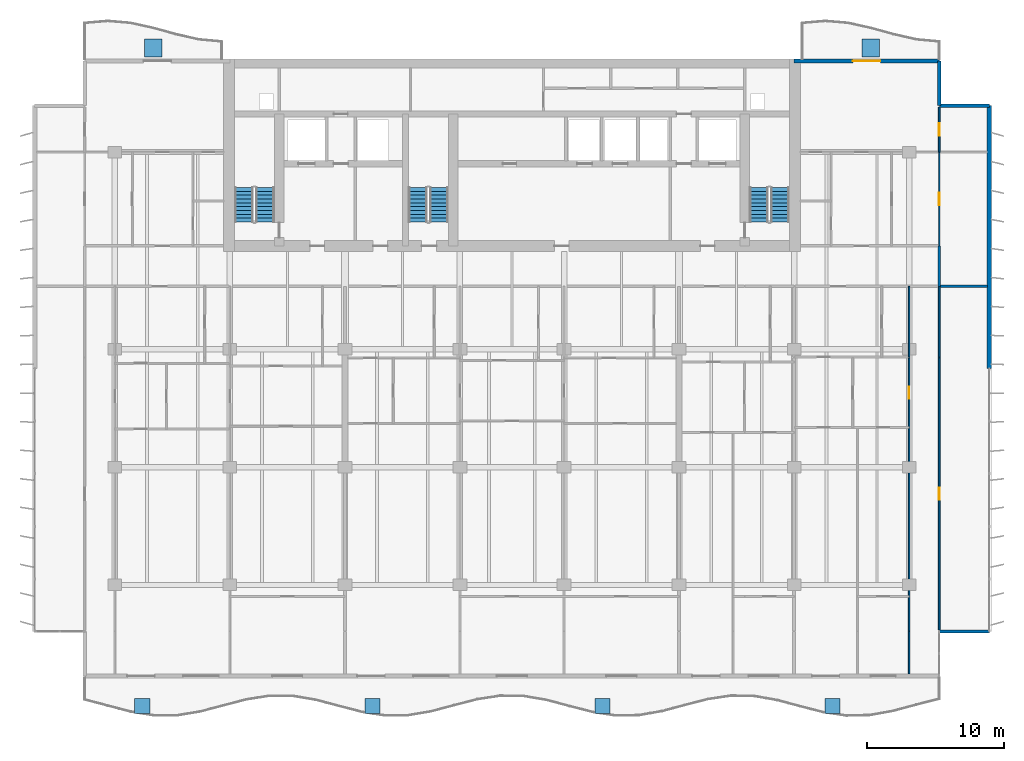
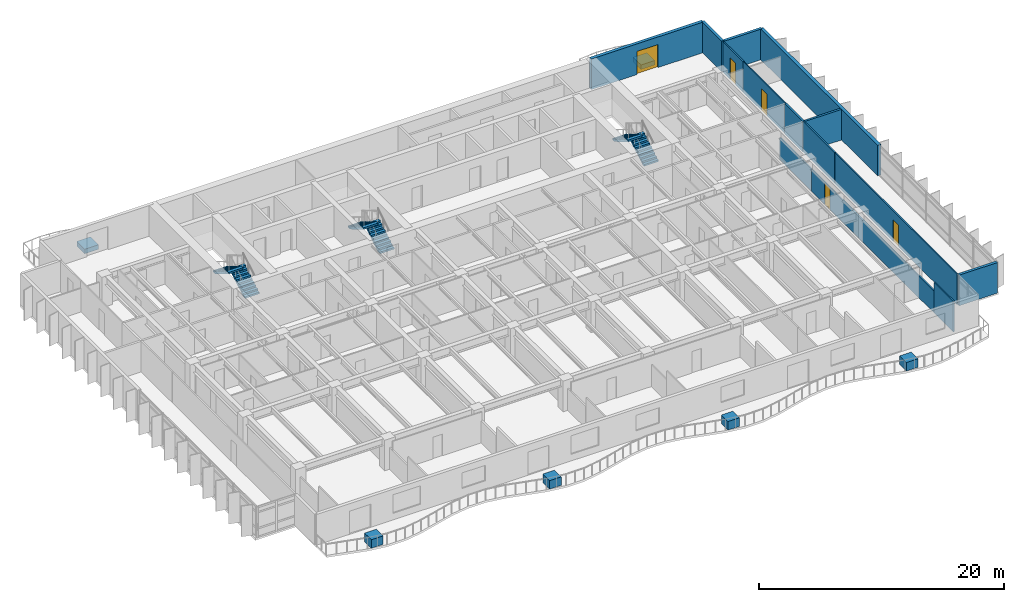
# One storey, part 11 of 15: 14 walls, 6 discrete accessories, 6 stair flights, 5 doors, 5 openings, 3 elements without a shape of their own.
"""IFC4 building model written with IfcOpenShell, lengths in metres."""

from ifc_helpers import new_model, si_unit, direction, frame, frame_2d, origin, origin_2d, place, context, subcontext, project, spatial, polyline, rectangle, outline, extrude, material, layer, layer_set, type_object, element, fill, aggregate, save


model = new_model("IFC4")

# Units and contexts
model_context = context("Model", 3, precision=1e-05, world=origin(), true_north=direction((0.0, 1.0)))
body_context = subcontext(model_context, "Body", "Model", "MODEL_VIEW")
ifc_project = project(units=[si_unit("LENGTHUNIT", "METRE"), si_unit("AREAUNIT", "SQUARE_METRE"), si_unit("VOLUMEUNIT", "CUBIC_METRE"), si_unit("PLANEANGLEUNIT", "RADIAN"), si_unit("MASSUNIT", "GRAM", prefix="KILO")], contexts=[model_context])

# Site, building, storey
site_placement = place(None, origin())
site = spatial("IfcSite", under=ifc_project, at=site_placement, CompositionType="ELEMENT")
building_placement = place(site_placement, origin())
building = spatial("IfcBuilding", under=site, at=building_placement, Name="Caelmar Bay Residences", CompositionType="ELEMENT")
storey_placement = place(building_placement, frame((0.0, 0.0, 138.89990234375)))
storey = spatial("IfcBuildingStorey", under=building, at=storey_placement, Name="L38", CompositionType="ELEMENT", Elevation=138.89990234375)

# Walls
ifc_material_1 = material(Name="Double-stud acoustic fire-rated gypsum partition 180 mm")
ifc_layer_1 = layer(ifc_material_1, 0.179931640625)
ifc_layer_set_1 = layer_set([ifc_layer_1], Name="Double-stud acoustic fire-rated gypsum partition 180 mm")
wall_type_1 = type_object("IfcWallType", Name="W-COR-200", PredefinedType="PARTITIONING", material=ifc_layer_set_1)
wall_1_placement = place(storey_placement, frame((70.10009765625, 34.0048828125, 0.0), z_axis=(0.0, 0.0, 1.0), x_axis=(0.0, 1.0, 0.0)))
element("IfcWall", 1, at=wall_1_placement, inside=storey, type_object=wall_type_1, Name="L38 Partition Wall V070", PredefinedType="PARTITIONING", context=body_context, shape_type="SweptSolid", body=[
    extrude(rectangle(XDim=2.945068359375, YDim=0.179931640625, at=frame_2d((1.47265625, 0.0))), origin(), (0.0, 0.0, 1.0), 3.050048828125),
])
ifc_material_2 = material(Name="Precast concrete f'c 40 MPa (6,000 psi)", Category="concrete")
ifc_layer_2 = layer(ifc_material_2, 0.25)
ifc_layer_set_2 = layer_set([ifc_layer_2], Name="Precast concrete f'c 40 MPa (6,000 psi)")
wall_type_2 = type_object("IfcWallType", Name="W-EXT-250", PredefinedType="ELEMENTEDWALL", material=ifc_layer_set_2)
wall_2_placement = place(storey_placement, frame((70.10009765625, 8.800048828125, 0.0), z_axis=(0.0, 0.0, 1.0), x_axis=(1.0, 0.0, 0.0)))
element("IfcWall", 2, at=wall_2_placement, inside=storey, type_object=wall_type_2, Name="L38 SE Notch Return Wall", PredefinedType="ELEMENTEDWALL", context=body_context, shape_type="SweptSolid", body=[
    extrude(rectangle(XDim=3.64990234375, YDim=0.25, at=frame_2d((1.824951171875, 0.0))), origin(), (0.0, 0.0, 1.0), 3.050048828125),
])
wall_3_placement = place(storey_placement, frame((70.10009765625, 50.449951171875, 0.0), z_axis=(0.0, 0.0, 1.0), x_axis=(0.0, -1.0, 0.0)))
element("IfcWall", 3, at=wall_3_placement, inside=storey, type_object=wall_type_2, Name="L38 NNE-V Notch Wall", PredefinedType="ELEMENTEDWALL", context=body_context, shape_type="SweptSolid", body=[
    extrude(rectangle(XDim=3.25, YDim=0.25, at=frame_2d((1.625, 0.0))), origin(), (0.0, 0.0, 1.0), 3.050048828125),
])
wall_4_placement = place(storey_placement, frame((70.10009765625, 47.199951171875, 0.0), z_axis=(0.0, 0.0, 1.0), x_axis=(1.0, 0.0, 0.0)))
element("IfcWall", 4, at=wall_4_placement, inside=storey, type_object=wall_type_2, Name="L38 NNE-H Notch Wall", PredefinedType="ELEMENTEDWALL", context=body_context, shape_type="SweptSolid", body=[
    extrude(rectangle(XDim=3.64990234375, YDim=0.25, at=frame_2d((1.824951171875, 0.0))), origin(), (0.0, 0.0, 1.0), 3.050048828125),
])
ifc_layer_3 = layer(ifc_material_2, 0.300048828125)
ifc_layer_set_3 = layer_set([ifc_layer_3], Name="Precast concrete f'c 40 MPa (6,000 psi)")
wall_type_3 = type_object("IfcWallType", Name="W-EXT-300", PredefinedType="STANDARD", material=ifc_layer_set_3)
wall_5_placement = place(storey_placement, frame((73.75, 47.199951171875, 0.0), z_axis=(0.0, 0.0, 1.0), x_axis=(0.0, -1.0, 0.0)))
element("IfcWall", 5, at=wall_5_placement, inside=storey, type_object=wall_type_3, Name="L38 East Rear Exterior Wall", PredefinedType="STANDARD", context=body_context, shape_type="SweptSolid", body=[
    extrude(rectangle(XDim=19.199951171875, YDim=0.300048828125, at=frame_2d((9.60009765625, 0.0))), origin(), (0.0, 0.0, 1.0), 3.050048828125),
])

# Wall, opening, door
wall_6_placement = place(storey_placement, frame((59.5, 50.449951171875, 0.0), z_axis=(0.0, 0.0, 1.0), x_axis=(1.0, 0.0, 0.0)))
wall_6 = element("IfcWall", 6, at=wall_6_placement, inside=storey, type_object=wall_type_3, Name="L38 North-East Wing Exterior Wall", PredefinedType="STANDARD", context=body_context, shape_type="SweptSolid", body=[
    extrude(rectangle(XDim=10.60009765625, YDim=0.300048828125, at=frame_2d((5.300048828125, 0.0))), origin(), (0.0, 0.0, 1.0), 3.050048828125),
])
opening_1_placement = place(wall_6_placement, frame((4.300048828125, 0.0, 0.0)))
opening_1 = element("IfcOpeningElement", 7, at=opening_1_placement, cuts=wall_6, Name="Opening L38-BDNE", PredefinedType="OPENING", context=body_context, shape_type="SweptSolid", body=[
    extrude(rectangle(XDim=2.0, YDim=2.300048828125, at=frame_2d((1.0, 1.14990234375))), frame((0.0, 0.159912109375, 0.0), z_axis=(0.0, -1.0, 0.0), x_axis=(1.0, 0.0, 0.0)), (0.0, 0.0, 1.0), 0.320068359375),
])
ifc_material_3 = material(Name="Anodised bronze thermally broken sliding glass door", Category="glass")
ifc_layer_4 = layer(ifc_material_3, 0.050048828125)
ifc_layer_set_4 = layer_set([ifc_layer_4], Name="Anodised bronze thermally broken sliding glass door")
door_type_1 = type_object("IfcDoorType", Name="D-BAL-2000", OperationType="DOUBLE_DOOR_SLIDING", PredefinedType="DOOR", material=ifc_layer_set_4)
door_1_placement = place(opening_1_placement, origin())
door_1 = element("IfcDoor", 8, at=door_1_placement, inside=storey, type_object=door_type_1, Name="L38 North-East Balcony Door", OperationType="DOUBLE_DOOR_SLIDING", OverallHeight=2.300048828125, OverallWidth=2.0, PredefinedType="DOOR", context=body_context, shape_type="SweptSolid", body=[
    extrude(rectangle(XDim=2.0, YDim=2.300048828125, at=frame_2d((1.0, 1.14990234375))), frame((0.0, 0.02490234375, 0.0), z_axis=(0.0, -1.0, 0.0), x_axis=(1.0, 0.0, 0.0)), (0.0, 0.0, 1.0), 0.050048828125),
])
fill(opening_1, door_1)

ifc_material_4 = material(Name="Anodised bronze framed acoustic sliding study partition 100 mm")
ifc_layer_5 = layer(ifc_material_4, 0.10009765625)
ifc_layer_set_5 = layer_set([ifc_layer_5], Name="Anodised bronze framed acoustic sliding study partition 100 mm")
wall_type_4 = type_object("IfcWallType", Name="W-MOV-100", PredefinedType="MOVABLE", material=ifc_layer_set_5)
wall_7_placement = place(storey_placement, frame((70.10009765625, 36.955078125, 0.0), z_axis=(0.0, 0.0, 1.0), x_axis=(0.0, 1.0, 0.0)))
wall_7 = element("IfcWall", 9, at=wall_7_placement, inside=storey, type_object=wall_type_4, Name="L38 Partition Wall V071", PredefinedType="MOVABLE", context=body_context, shape_type="SweptSolid", body=[
    extrude(rectangle(XDim=6.844970703125, YDim=0.10009765625, at=frame_2d((3.42236328125, 0.0))), origin(), (0.0, 0.0, 1.0), 3.050048828125),
])
opening_2_placement = place(wall_7_placement, frame((2.972412109375, 0.0, 0.0)))
opening_2 = element("IfcOpeningElement", 10, at=opening_2_placement, cuts=wall_7, Name="Opening D-L38-176", PredefinedType="OPENING", context=body_context, shape_type="SweptSolid", body=[
    extrude(rectangle(XDim=0.89990234375, YDim=2.14990234375, at=frame_2d((0.449951171875, 1.074951171875))), frame((0.0, 0.06005859375, 0.0), z_axis=(0.0, -1.0, 0.0), x_axis=(1.0, 0.0, 0.0)), (0.0, 0.0, 1.0), 0.1201171875),
])
ifc_material_5 = material(Name="Solid walnut timber interior door leaf and frame", Category="wood")
ifc_layer_6 = layer(ifc_material_5, 0.050048828125)
ifc_layer_set_6 = layer_set([ifc_layer_6], Name="Solid walnut timber interior door leaf and frame")
door_type_2 = type_object("IfcDoorType", Name="D-ROOM-900", OperationType="NOTDEFINED", PredefinedType="DOOR", material=ifc_layer_set_6)
door_2_placement = place(opening_2_placement, origin())
door_2 = element("IfcDoor", 11, at=door_2_placement, inside=storey, type_object=door_type_2, Name="L38 Residence EA Sun Study Door", OperationType="SINGLE_SWING_LEFT", OverallHeight=2.14990234375, OverallWidth=0.89990234375, PredefinedType="DOOR", context=body_context, shape_type="SweptSolid", body=[
    extrude(rectangle(XDim=0.89990234375, YDim=2.14990234375, at=frame_2d((0.449951171875, 1.074951171875))), frame((0.0, 0.02490234375, 0.0), z_axis=(0.0, -1.0, 0.0), x_axis=(1.0, 0.0, 0.0)), (0.0, 0.0, 1.0), 0.050048828125),
])
fill(opening_2, door_2)

# Wall
ifc_material_6 = material(Name="Acoustic metal-stud gypsum partition 120 mm")
ifc_layer_7 = layer(ifc_material_6, 0.1201171875)
ifc_layer_set_7 = layer_set([ifc_layer_7], Name="Acoustic metal-stud gypsum partition 120 mm")
wall_type_5 = type_object("IfcWallType", Name="W-PRT-120", PredefinedType="PARTITIONING", material=ifc_layer_set_7)
wall_8_placement = place(storey_placement, frame((67.89990234375, 5.695068359375, 0.0), z_axis=(0.0, 0.0, 1.0), x_axis=(0.0, 1.0, 0.0)))
element("IfcWall", 12, at=wall_8_placement, inside=storey, type_object=wall_type_5, Name="L38 Partition Wall V065", PredefinedType="PARTITIONING", context=body_context, shape_type="SweptSolid", body=[
    extrude(rectangle(XDim=3.10498046875, YDim=0.1201171875, at=frame_2d((1.552490234375, 0.0))), origin(), (0.0, 0.0, 1.0), 3.050048828125),
])

# Wall, opening, door
wall_9_placement = place(storey_placement, frame((67.89990234375, 8.840087890625, 0.0), z_axis=(0.0, 0.0, 1.0), x_axis=(0.0, 1.0, 0.0)))
wall_9 = element("IfcWall", 13, at=wall_9_placement, inside=storey, type_object=wall_type_5, Name="L38 Partition Wall V066", PredefinedType="PARTITIONING", context=body_context, shape_type="SweptSolid", body=[
    extrude(rectangle(XDim=19.93994140625, YDim=0.1201171875, at=frame_2d((9.969970703125, 0.0))), origin(), (0.0, 0.0, 1.0), 2.174072265625),
])
opening_3_placement = place(wall_9_placement, frame((16.945068359375, 0.0, 0.0)))
opening_3 = element("IfcOpeningElement", 14, at=opening_3_placement, cuts=wall_9, Name="Opening D-L38-161", PredefinedType="OPENING", context=body_context, shape_type="SweptSolid", body=[
    extrude(rectangle(XDim=0.89990234375, YDim=2.1240234375, at=frame_2d((0.449951171875, 1.06201171875))), frame((0.0, 0.070068359375, 0.0), z_axis=(0.0, -1.0, 0.0), x_axis=(1.0, 0.0, 0.0)), (0.0, 0.0, 1.0), 0.14013671875),
])
door_3_placement = place(opening_3_placement, origin())
door_3 = element("IfcDoor", 15, at=door_3_placement, inside=storey, type_object=door_type_2, Name="L38 Residence 04 East Apartment Hall Door", OperationType="SINGLE_SWING_RIGHT", OverallHeight=2.1240234375, OverallWidth=0.89990234375, PredefinedType="DOOR", context=body_context, shape_type="SweptSolid", body=[
    extrude(rectangle(XDim=0.89990234375, YDim=2.1240234375, at=frame_2d((0.449951171875, 1.06201171875))), frame((0.0, 0.02490234375, 0.0), z_axis=(0.0, -1.0, 0.0), x_axis=(1.0, 0.0, 0.0)), (0.0, 0.0, 1.0), 0.050048828125),
])
fill(opening_3, door_3)

# Wall
wall_10_placement = place(storey_placement, frame((67.89990234375, 28.840087890625, 0.0), z_axis=(0.0, 0.0, 1.0), x_axis=(0.0, 1.0, 0.0)))
element("IfcWall", 16, at=wall_10_placement, inside=storey, type_object=wall_type_5, Name="L38 Partition Wall V067", PredefinedType="PARTITIONING", context=body_context, shape_type="SweptSolid", body=[
    extrude(rectangle(XDim=5.159912109375, YDim=0.1201171875, at=frame_2d((2.580078125, 0.0))), origin(), (0.0, 0.0, 1.0), 2.174072265625),
])

# Wall, opening, door
wall_11_placement = place(storey_placement, frame((70.10009765625, 8.919921875, 0.0), z_axis=(0.0, 0.0, 1.0), x_axis=(0.0, 1.0, 0.0)))
wall_11 = element("IfcWall", 17, at=wall_11_placement, inside=storey, type_object=wall_type_5, Name="L38 Partition Wall V068", PredefinedType="PARTITIONING", context=body_context, shape_type="SweptSolid", body=[
    extrude(rectangle(XDim=19.860107421875, YDim=0.1201171875, at=frame_2d((9.93017578125, 0.0))), origin(), (0.0, 0.0, 1.0), 3.050048828125),
])
opening_4_placement = place(wall_11_placement, frame((9.47998046875, 0.0, 0.0)))
opening_4 = element("IfcOpeningElement", 18, at=opening_4_placement, cuts=wall_11, Name="Opening D-L38-163", PredefinedType="OPENING", context=body_context, shape_type="SweptSolid", body=[
    extrude(rectangle(XDim=0.89990234375, YDim=2.14990234375, at=frame_2d((0.449951171875, 1.074951171875))), frame((0.0, 0.070068359375, 0.0), z_axis=(0.0, -1.0, 0.0), x_axis=(1.0, 0.0, 0.0)), (0.0, 0.0, 1.0), 0.14013671875),
])
door_4_placement = place(opening_4_placement, origin())
door_4 = element("IfcDoor", 19, at=door_4_placement, inside=storey, type_object=door_type_2, Name="L38 Residence 04 Penthouse East Salon Door", OperationType="SINGLE_SWING_RIGHT", OverallHeight=2.14990234375, OverallWidth=0.89990234375, PredefinedType="DOOR", context=body_context, shape_type="SweptSolid", body=[
    extrude(rectangle(XDim=0.89990234375, YDim=2.14990234375, at=frame_2d((0.449951171875, 1.074951171875))), frame((0.0, 0.02490234375, 0.0), z_axis=(0.0, -1.0, 0.0), x_axis=(1.0, 0.0, 0.0)), (0.0, 0.0, 1.0), 0.050048828125),
])
fill(opening_4, door_4)

# Wall
wall_12_placement = place(storey_placement, frame((70.10009765625, 28.840087890625, 0.0), z_axis=(0.0, 0.0, 1.0), x_axis=(0.0, 1.0, 0.0)))
element("IfcWall", 20, at=wall_12_placement, inside=storey, type_object=wall_type_5, Name="L38 Partition Wall V069", PredefinedType="PARTITIONING", context=body_context, shape_type="SweptSolid", body=[
    extrude(rectangle(XDim=5.159912109375, YDim=0.1201171875, at=frame_2d((2.580078125, 0.0))), origin(), (0.0, 0.0, 1.0), 3.050048828125),
])

# Wall, opening, door
wall_13_placement = place(storey_placement, frame((70.10009765625, 43.804931640625, 0.0), z_axis=(0.0, 0.0, 1.0), x_axis=(0.0, 1.0, 0.0)))
wall_13 = element("IfcWall", 21, at=wall_13_placement, inside=storey, type_object=wall_type_5, Name="L38 Partition Wall V072", PredefinedType="PARTITIONING", context=body_context, shape_type="SweptSolid", body=[
    extrude(rectangle(XDim=3.275146484375, YDim=0.1201171875, at=frame_2d((1.6376953125, 0.0))), origin(), (0.0, 0.0, 1.0), 3.050048828125),
])
opening_5_placement = place(wall_13_placement, frame((1.1875, 0.0, 0.0)))
opening_5 = element("IfcOpeningElement", 22, at=opening_5_placement, cuts=wall_13, Name="Opening D-L38-177", PredefinedType="OPENING", context=body_context, shape_type="SweptSolid", body=[
    extrude(rectangle(XDim=0.89990234375, YDim=2.14990234375, at=frame_2d((0.449951171875, 1.074951171875))), frame((0.0, 0.070068359375, 0.0), z_axis=(0.0, -1.0, 0.0), x_axis=(1.0, 0.0, 0.0)), (0.0, 0.0, 1.0), 0.14013671875),
])
door_5_placement = place(opening_5_placement, origin())
door_5 = element("IfcDoor", 23, at=door_5_placement, inside=storey, type_object=door_type_2, Name="L38 Residence EA North Sitting Alcove Door", OperationType="SINGLE_SWING_RIGHT", OverallHeight=2.14990234375, OverallWidth=0.89990234375, PredefinedType="DOOR", context=body_context, shape_type="SweptSolid", body=[
    extrude(rectangle(XDim=0.89990234375, YDim=2.14990234375, at=frame_2d((0.449951171875, 1.074951171875))), frame((0.0, 0.02490234375, 0.0), z_axis=(0.0, -1.0, 0.0), x_axis=(1.0, 0.0, 0.0)), (0.0, 0.0, 1.0), 0.050048828125),
])
fill(opening_5, door_5)

# Wall
ifc_material_7 = material(Name="Acoustic twin-stud fire-rated inter-tenancy partition 200 mm")
ifc_layer_8 = layer(ifc_material_7, 0.199951171875)
ifc_layer_set_8 = layer_set([ifc_layer_8], Name="Acoustic twin-stud fire-rated inter-tenancy partition 200 mm")
wall_type_6 = type_object("IfcWallType", Name="W-PTY-200", PredefinedType="PARTITIONING", material=ifc_layer_set_8)
wall_14_placement = place(storey_placement, frame((70.10498046875, 34.0, 0.0), z_axis=(0.0, 0.0, 1.0), x_axis=(1.0, 0.0, 0.0)))
element("IfcWall", 24, at=wall_14_placement, inside=storey, type_object=wall_type_6, Name="L38 Partition Wall H099", PredefinedType="PARTITIONING", context=body_context, shape_type="SweptSolid", body=[
    extrude(rectangle(XDim=3.5, YDim=0.199951171875, at=frame_2d((1.75, 0.0))), origin(), (0.0, 0.0, 1.0), 3.050048828125),
])

# Stair, stair flights
ifc_material_8 = material(Name="Concrete f'c 40 MPa (6,000 psi)", Category="concrete")
stair_type = type_object("IfcStairType", Name="ST-TYP-165", PredefinedType="HALF_TURN_STAIR", material=ifc_material_8)
stair_1_placement = place(storey_placement, origin())
stair_1 = element("IfcStair", 25, at=stair_1_placement, inside=storey, type_object=stair_type, Name="L38 West Smokeproof Exit Stair ST1", PredefinedType="HALF_TURN_STAIR")
stair_flight_type = type_object("IfcStairFlightType", Name="STF-1350", PredefinedType="STRAIGHT", material=ifc_material_8)
stair_flight_1_placement = place(storey_placement, frame((20.875, 38.699951171875, 0.0), z_axis=(0.0, 0.0, 1.0), x_axis=(0.0, 1.0, 0.0)))
stair_flight_1 = element("IfcStairFlight", 26, at=stair_flight_1_placement, type_object=stair_flight_type, Name="ST1 flight 1", NumberOfRisers=10, NumberOfTreads=9, PredefinedType="STRAIGHT", RiserHeight=0.165, TreadLength=0.28, context=body_context, shape_type="SweptSolid", body=[
    extrude(outline(polyline([(0.0, 0.0), (0.0, 0.1650390625), (0.280029296875, 0.1650390625), (0.280029296875, 0.330078125), (0.56005859375, 0.330078125), (0.56005859375, 0.4951171875), (0.840087890625, 0.4951171875), (0.840087890625, 0.659912109375), (1.1201171875, 0.659912109375), (1.1201171875, 0.824951171875), (1.39990234375, 0.824951171875), (1.39990234375, 0.989990234375), (1.679931640625, 0.989990234375), (1.679931640625, 1.155029296875), (1.9599609375, 1.155029296875), (1.9599609375, 1.320068359375), (2.239990234375, 1.320068359375), (2.239990234375, 1.485107421875), (2.52001953125, 1.485107421875), (2.52001953125, 1.64990234375), (2.52001953125, 1.31103515625), (0.295166015625, 0.0), (0.0, 0.0)])), frame((0.0, 0.675048828125, 0.0), z_axis=(0.0, -1.0, 0.0), x_axis=(1.0, 0.0, 0.0)), (0.0, 0.0, 1.0), 1.35009765625),
])
stair_flight_2_placement = place(storey_placement, frame((19.324951171875, 41.219970703125, 1.650146484375), z_axis=(0.0, 0.0, 1.0), x_axis=(0.0, -1.0, 0.0)))
stair_flight_2 = element("IfcStairFlight", 27, at=stair_flight_2_placement, type_object=stair_flight_type, Name="ST1 flight 2", NumberOfRisers=10, NumberOfTreads=9, PredefinedType="STRAIGHT", RiserHeight=0.165, TreadLength=0.28, context=body_context, shape_type="SweptSolid", body=[
    extrude(outline(polyline([(0.0, 0.0), (0.0, 0.1650390625), (0.280029296875, 0.1650390625), (0.280029296875, 0.330078125), (0.56005859375, 0.330078125), (0.56005859375, 0.4951171875), (0.840087890625, 0.4951171875), (0.840087890625, 0.659912109375), (1.1201171875, 0.659912109375), (1.1201171875, 0.824951171875), (1.39990234375, 0.824951171875), (1.39990234375, 0.989990234375), (1.679931640625, 0.989990234375), (1.679931640625, 1.155029296875), (1.9599609375, 1.155029296875), (1.9599609375, 1.320068359375), (2.239990234375, 1.320068359375), (2.239990234375, 1.485107421875), (2.52001953125, 1.485107421875), (2.52001953125, 1.64990234375), (2.52001953125, 1.31103515625), (0.295166015625, 0.0), (0.0, 0.0)])), frame((0.0, 0.675048828125, 0.0), z_axis=(0.0, -1.0, 0.0), x_axis=(1.0, 0.0, 0.0)), (0.0, 0.0, 1.0), 1.35009765625),
])
aggregate(stair_1, [stair_flight_1, stair_flight_2])

stair_2_placement = place(storey_placement, origin())
stair_2 = element("IfcStair", 28, at=stair_2_placement, inside=storey, type_object=stair_type, Name="L38 East Smokeproof Exit Stair ST2", PredefinedType="HALF_TURN_STAIR")
stair_flight_3_placement = place(storey_placement, frame((58.47509765625, 38.699951171875, 0.0), z_axis=(0.0, 0.0, 1.0), x_axis=(0.0, 1.0, 0.0)))
stair_flight_3 = element("IfcStairFlight", 29, at=stair_flight_3_placement, type_object=stair_flight_type, Name="ST2 flight 1", NumberOfRisers=10, NumberOfTreads=9, PredefinedType="STRAIGHT", RiserHeight=0.165, TreadLength=0.28, context=body_context, shape_type="SweptSolid", body=[
    extrude(outline(polyline([(0.0, 0.0), (0.0, 0.1650390625), (0.280029296875, 0.1650390625), (0.280029296875, 0.330078125), (0.56005859375, 0.330078125), (0.56005859375, 0.4951171875), (0.840087890625, 0.4951171875), (0.840087890625, 0.659912109375), (1.1201171875, 0.659912109375), (1.1201171875, 0.824951171875), (1.39990234375, 0.824951171875), (1.39990234375, 0.989990234375), (1.679931640625, 0.989990234375), (1.679931640625, 1.155029296875), (1.9599609375, 1.155029296875), (1.9599609375, 1.320068359375), (2.239990234375, 1.320068359375), (2.239990234375, 1.485107421875), (2.52001953125, 1.485107421875), (2.52001953125, 1.64990234375), (2.52001953125, 1.31103515625), (0.295166015625, 0.0), (0.0, 0.0)])), frame((0.0, 0.675048828125, 0.0), z_axis=(0.0, -1.0, 0.0), x_axis=(1.0, 0.0, 0.0)), (0.0, 0.0, 1.0), 1.35009765625),
])
stair_flight_4_placement = place(storey_placement, frame((56.925048828125, 41.219970703125, 1.650146484375), z_axis=(0.0, 0.0, 1.0), x_axis=(0.0, -1.0, 0.0)))
stair_flight_4 = element("IfcStairFlight", 30, at=stair_flight_4_placement, type_object=stair_flight_type, Name="ST2 flight 2", NumberOfRisers=10, NumberOfTreads=9, PredefinedType="STRAIGHT", RiserHeight=0.165, TreadLength=0.28, context=body_context, shape_type="SweptSolid", body=[
    extrude(outline(polyline([(0.0, 0.0), (0.0, 0.1650390625), (0.280029296875, 0.1650390625), (0.280029296875, 0.330078125), (0.56005859375, 0.330078125), (0.56005859375, 0.4951171875), (0.840087890625, 0.4951171875), (0.840087890625, 0.659912109375), (1.1201171875, 0.659912109375), (1.1201171875, 0.824951171875), (1.39990234375, 0.824951171875), (1.39990234375, 0.989990234375), (1.679931640625, 0.989990234375), (1.679931640625, 1.155029296875), (1.9599609375, 1.155029296875), (1.9599609375, 1.320068359375), (2.239990234375, 1.320068359375), (2.239990234375, 1.485107421875), (2.52001953125, 1.485107421875), (2.52001953125, 1.64990234375), (2.52001953125, 1.31103515625), (0.295166015625, 0.0), (0.0, 0.0)])), frame((0.0, 0.675048828125, 0.0), z_axis=(0.0, -1.0, 0.0), x_axis=(1.0, 0.0, 0.0)), (0.0, 0.0, 1.0), 1.35009765625),
])
aggregate(stair_2, [stair_flight_3, stair_flight_4])

stair_3_placement = place(storey_placement, origin())
stair_3 = element("IfcStair", 31, at=stair_3_placement, inside=storey, type_object=stair_type, Name="L38 Central Smokeproof Exit Stair ST3", PredefinedType="HALF_TURN_STAIR")
stair_flight_5_placement = place(storey_placement, frame((33.574951171875, 38.699951171875, 0.0), z_axis=(0.0, 0.0, 1.0), x_axis=(0.0, 1.0, 0.0)))
stair_flight_5 = element("IfcStairFlight", 32, at=stair_flight_5_placement, type_object=stair_flight_type, Name="ST3 flight 1", NumberOfRisers=10, NumberOfTreads=9, PredefinedType="STRAIGHT", RiserHeight=0.165, TreadLength=0.28, context=body_context, shape_type="SweptSolid", body=[
    extrude(outline(polyline([(0.0, 0.0), (0.0, 0.1650390625), (0.280029296875, 0.1650390625), (0.280029296875, 0.330078125), (0.56005859375, 0.330078125), (0.56005859375, 0.4951171875), (0.840087890625, 0.4951171875), (0.840087890625, 0.659912109375), (1.1201171875, 0.659912109375), (1.1201171875, 0.824951171875), (1.39990234375, 0.824951171875), (1.39990234375, 0.989990234375), (1.679931640625, 0.989990234375), (1.679931640625, 1.155029296875), (1.9599609375, 1.155029296875), (1.9599609375, 1.320068359375), (2.239990234375, 1.320068359375), (2.239990234375, 1.485107421875), (2.52001953125, 1.485107421875), (2.52001953125, 1.64990234375), (2.52001953125, 1.31103515625), (0.295166015625, 0.0), (0.0, 0.0)])), frame((0.0, 0.675048828125, 0.0), z_axis=(0.0, -1.0, 0.0), x_axis=(1.0, 0.0, 0.0)), (0.0, 0.0, 1.0), 1.35009765625),
])
stair_flight_6_placement = place(storey_placement, frame((32.02490234375, 41.219970703125, 1.650146484375), z_axis=(0.0, 0.0, 1.0), x_axis=(0.0, -1.0, 0.0)))
stair_flight_6 = element("IfcStairFlight", 33, at=stair_flight_6_placement, type_object=stair_flight_type, Name="ST3 flight 2", NumberOfRisers=10, NumberOfTreads=9, PredefinedType="STRAIGHT", RiserHeight=0.165, TreadLength=0.28, context=body_context, shape_type="SweptSolid", body=[
    extrude(outline(polyline([(0.0, 0.0), (0.0, 0.1650390625), (0.280029296875, 0.1650390625), (0.280029296875, 0.330078125), (0.56005859375, 0.330078125), (0.56005859375, 0.4951171875), (0.840087890625, 0.4951171875), (0.840087890625, 0.659912109375), (1.1201171875, 0.659912109375), (1.1201171875, 0.824951171875), (1.39990234375, 0.824951171875), (1.39990234375, 0.989990234375), (1.679931640625, 0.989990234375), (1.679931640625, 1.155029296875), (1.9599609375, 1.155029296875), (1.9599609375, 1.320068359375), (2.239990234375, 1.320068359375), (2.239990234375, 1.485107421875), (2.52001953125, 1.485107421875), (2.52001953125, 1.64990234375), (2.52001953125, 1.31103515625), (0.295166015625, 0.0), (0.0, 0.0)])), frame((0.0, 0.675048828125, 0.0), z_axis=(0.0, -1.0, 0.0), x_axis=(1.0, 0.0, 0.0)), (0.0, 0.0, 1.0), 1.35009765625),
])
aggregate(stair_3, [stair_flight_5, stair_flight_6])

# Discrete accessories
ifc_material_9 = material(Name="Architectural bronze GRC planter trough with volcanic-lapilli substrate")
discrete_accessory_type_1 = type_object("IfcDiscreteAccessoryType", Name="ACC-PLANTER-1100", PredefinedType="USERDEFINED", material=ifc_material_9)
for number, where, z_axis, x_axis, name in (
    (34, (11.89990234375, 3.34326171875, 0.0), (0.0, 0.0, 1.0), (1.0, 0.0, 0.0), "L38 Balcony Structural Tree Planter 1"),
    (35, (28.699951171875, 3.34326171875, 0.0), (0.0, 0.0, 1.0), (1.0, 0.0, 0.0), "L38 Balcony Structural Tree Planter 2"),
    (36, (45.5, 3.34326171875, 0.0), (0.0, 0.0, 1.0), (1.0, 0.0, 0.0), "L38 Balcony Structural Tree Planter 3"),
    (37, (62.300048828125, 3.34326171875, 0.0), (0.0, 0.0, 1.0), (1.0, 0.0, 0.0), "L38 Balcony Structural Tree Planter 4"),
):
    element("IfcDiscreteAccessory", number, at=place(storey_placement, frame(where, z_axis=z_axis, x_axis=x_axis)), inside=storey, type_object=discrete_accessory_type_1, Name=name, ObjectType="PLANTER", PredefinedType="USERDEFINED", context=body_context, shape_type="SweptSolid", body=[
        extrude(rectangle(XDim=1.10009765625, YDim=1.10009765625, at=origin_2d()), origin(), (0.0, 0.0, 1.0), 0.85009765625),
    ])
discrete_accessory_type_2 = type_object("IfcDiscreteAccessoryType", Name="STR-PLANTER-KERB-450", PredefinedType="USERDEFINED", material=ifc_material_2)
for number, where, z_axis, x_axis, name in (
    (38, (12.699951171875, 51.39990234375, 0.0), (0.0, 0.0, 1.0), (1.0, 0.0, 0.0), "L38 north_west Structural Tree Planter Kerb"),
    (39, (65.10009765625, 51.39990234375, 0.0), (0.0, 0.0, 1.0), (1.0, 0.0, 0.0), "L38 north_east Structural Tree Planter Kerb"),
):
    element("IfcDiscreteAccessory", number, at=place(storey_placement, frame(where, z_axis=z_axis, x_axis=x_axis)), inside=storey, type_object=discrete_accessory_type_2, Name=name, ObjectType="PLANTER", PredefinedType="USERDEFINED", context=body_context, shape_type="SweptSolid", body=[
        extrude(rectangle(XDim=1.300048828125, YDim=1.300048828125, at=origin_2d()), origin(), (0.0, 0.0, 1.0), 0.449951171875),
    ])

save(model, "model.ifc")
